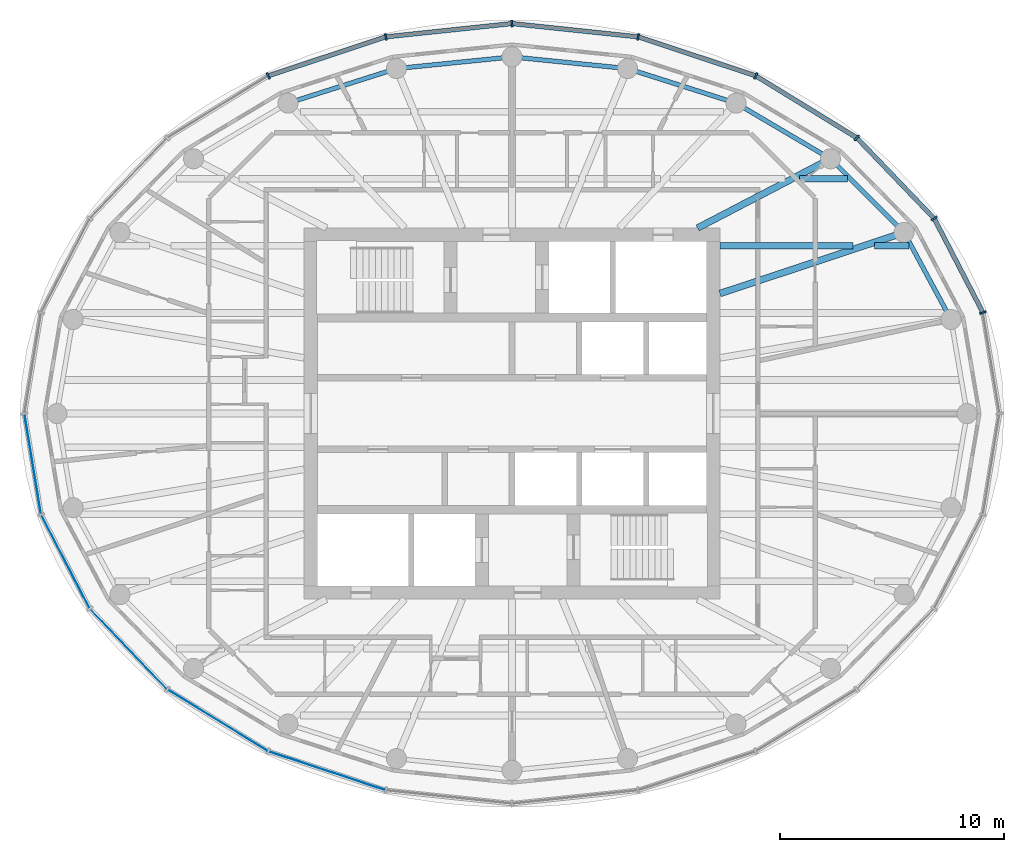
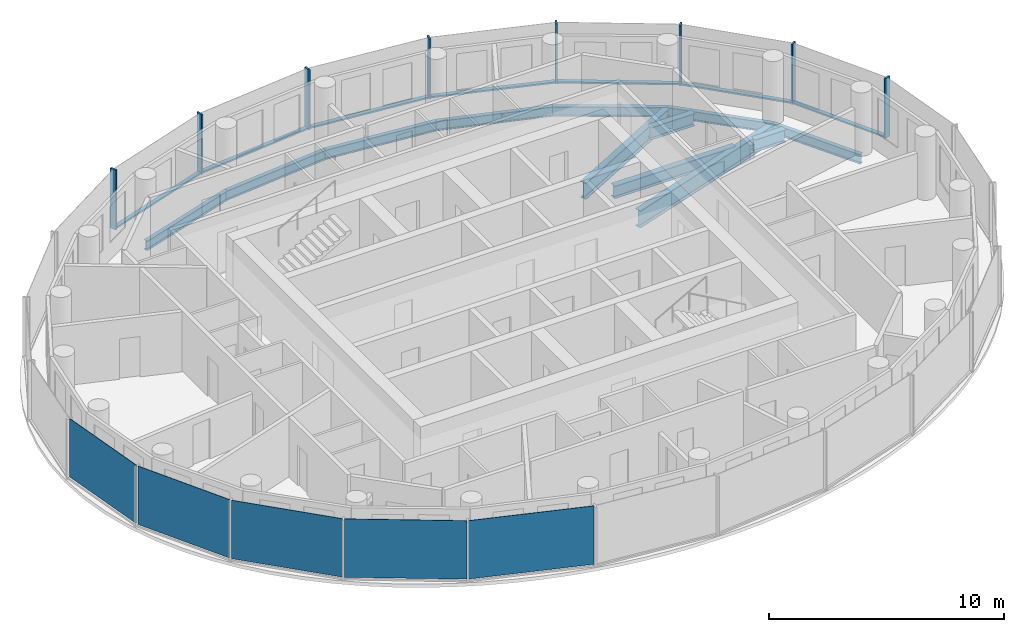
# One storey, part 3 of 11: 15 members, 12 beams, 5 plates, 3 elements without a shape of their own.
"""IFC4 building model written with IfcOpenShell, lengths in metres."""

from ifc_helpers import new_model, si_unit, direction, frame, origin, origin_2d, place, context, subcontext, project, spatial, rectangle, i_section, extrude, material, layer, layer_set, material_profile, profile_set, type_object, element, aggregate, save


model = new_model("IFC4")

# Units and contexts
model_context = context("Model", 3, precision=1e-05, world=origin(), true_north=direction((0.0, 1.0)))
body_context = subcontext(model_context, "Body", "Model", "MODEL_VIEW")
ifc_project = project(units=[si_unit("LENGTHUNIT", "METRE"), si_unit("AREAUNIT", "SQUARE_METRE"), si_unit("VOLUMEUNIT", "CUBIC_METRE"), si_unit("PLANEANGLEUNIT", "RADIAN"), si_unit("MASSUNIT", "GRAM", prefix="KILO")], contexts=[model_context])

# Site, building, storey
site_placement = place(None, origin())
site = spatial("IfcSite", under=ifc_project, at=site_placement, CompositionType="ELEMENT")
building_placement = place(site_placement, origin())
building = spatial("IfcBuilding", under=site, at=building_placement, Name="Hankou Lantern Tower", CompositionType="ELEMENT")
storey_placement = place(building_placement, frame((0.0, 0.0, 196.199951171875)))
storey = spatial("IfcBuildingStorey", under=building, at=storey_placement, Name="L52", CompositionType="ELEMENT", Elevation=196.199951171875)

# Beams
ifc_material_1 = material(Name="Steel Q355B", Category="steel")
ifc_material_profile_1 = material_profile(ifc_material_1, i_section(OverallWidth=0.199951171875, OverallDepth=0.5, WebThickness=0.010009765625, FlangeThickness=0.01611328125, FilletRadius=0.012939453125, at=origin_2d()), Name="HN500x200x10x16")
ifc_profile_set_1 = profile_set([ifc_material_profile_1], Name="Steel Q355B")
beam_type_1 = type_object("IfcBeamType", Name="EB5 RING BEAM HN500x200x10x16", PredefinedType="SPANDREL", material=ifc_profile_set_1)
beam_1_placement = place(storey_placement, frame((19.629150390625, 4.207763671875, -0.429931640625), z_axis=(-0.474491806611, 0.880259919262, 0.0), x_axis=(-0.880259919262, -0.474491806611, 0.0)))
element("IfcBeam", 1, at=beam_1_placement, inside=storey, type_object=beam_type_1, Name="Ring beam R02-R03 L52", PredefinedType="SPANDREL", context=body_context, shape_type="SweptSolid", body=[
    extrude(i_section(OverallWidth=0.199951171875, OverallDepth=0.5, WebThickness=0.010009765625, FlangeThickness=0.01611328125, FilletRadius=0.012939453125, at=origin_2d()), origin(), (0.0, 0.0, 1.0), 4.419189453125),
])
beam_2_placement = place(storey_placement, frame((17.5322265625, 8.097900390625, -0.429931640625), z_axis=(-0.706608588034, 0.707604623583, 0.0), x_axis=(-0.707604623583, -0.706608588034, 0.0)))
element("IfcBeam", 2, at=beam_2_placement, inside=storey, type_object=beam_type_1, Name="Ring beam R03-R04 L52", PredefinedType="SPANDREL", context=body_context, shape_type="SweptSolid", body=[
    extrude(i_section(OverallWidth=0.199951171875, OverallDepth=0.5, WebThickness=0.010009765625, FlangeThickness=0.01611328125, FilletRadius=0.012939453125, at=origin_2d()), origin(), (0.0, 0.0, 1.0), 4.6572265625),
])
beam_3_placement = place(storey_placement, frame((14.241455078125, 11.393310546875, -0.429931640625), z_axis=(-0.861422897323, 0.507888365655, 0.0), x_axis=(-0.507888365655, -0.861422897323, 0.0)))
element("IfcBeam", 3, at=beam_3_placement, inside=storey, type_object=beam_type_1, Name="Ring beam R04-R05 L52", PredefinedType="SPANDREL", context=body_context, shape_type="SweptSolid", body=[
    extrude(i_section(OverallWidth=0.199951171875, OverallDepth=0.5, WebThickness=0.010009765625, FlangeThickness=0.01611328125, FilletRadius=0.012939453125, at=origin_2d()), origin(), (0.0, 0.0, 1.0), 4.901611328125),
])
beam_4_placement = place(storey_placement, frame((10.01904296875, 13.8828125, -0.429931640625), z_axis=(-0.952887359315, 0.303324381574, 0.0), x_axis=(-0.303324381574, -0.952887359315, 0.0)))
element("IfcBeam", 4, at=beam_4_placement, inside=storey, type_object=beam_type_1, Name="Ring beam R05-R06 L52", PredefinedType="SPANDREL", context=body_context, shape_type="SweptSolid", body=[
    extrude(i_section(OverallWidth=0.199951171875, OverallDepth=0.5, WebThickness=0.010009765625, FlangeThickness=0.01611328125, FilletRadius=0.012939453125, at=origin_2d()), origin(), (0.0, 0.0, 1.0), 5.091796875),
])
for number, where, z_axis, x_axis, name in (
    (5, (5.167236328125, 15.42724609375, -0.429931640625), (-0.994922507736, 0.100643944676, 0.0), (-0.100643944676, -0.994922507736, 0.0), "Ring beam R06-R07 L52"),
    (6, (0.0, 15.949951171875, -0.429931640625), (-0.994922507736, -0.100643944676, 0.0), (0.100643944676, -0.994922507736, 0.0), "Ring beam R07-R08 L52"),
):
    element("IfcBeam", number, at=place(storey_placement, frame(where, z_axis=z_axis, x_axis=x_axis)), inside=storey, type_object=beam_type_1, Name=name, PredefinedType="SPANDREL", context=body_context, shape_type="SweptSolid", body=[
        extrude(i_section(OverallWidth=0.199951171875, OverallDepth=0.5, WebThickness=0.010009765625, FlangeThickness=0.01611328125, FilletRadius=0.012939453125, at=origin_2d()), origin(), (0.0, 0.0, 1.0), 5.193603515625),
    ])
beam_5_placement = place(storey_placement, frame((-5.167236328125, 15.42724609375, -0.429931640625), z_axis=(-0.952887359315, -0.303324381574, 0.0), x_axis=(0.303324381574, -0.952887359315, 0.0)))
element("IfcBeam", 7, at=beam_5_placement, inside=storey, type_object=beam_type_1, Name="Ring beam R08-R09 L52", PredefinedType="SPANDREL", context=body_context, shape_type="SweptSolid", body=[
    extrude(i_section(OverallWidth=0.199951171875, OverallDepth=0.5, WebThickness=0.010009765625, FlangeThickness=0.01611328125, FilletRadius=0.012939453125, at=origin_2d()), origin(), (0.0, 0.0, 1.0), 5.091796875),
])

# Curtain wall, members
ifc_material_2 = material(Name="Glass, dark grey tinted laminated", Category="glass")
curtain_wall_type = type_object("IfcCurtainWallType", Name="CWD OUTER SKIN SUITE", PredefinedType="USERDEFINED", material=ifc_material_2)
curtain_wall_1_placement = place(storey_placement, origin())
curtain_wall_1 = element("IfcCurtainWall", 8, at=curtain_wall_1_placement, inside=storey, type_object=curtain_wall_type, Name="CWD L52 OS1", ObjectType="OUTER SKIN SUITE", PredefinedType="USERDEFINED")
ifc_material_3 = material(Name="Aluminium, black anodised", Category="aluminium")
ifc_material_profile_2 = material_profile(ifc_material_3, rectangle(XDim=0.080078125, YDim=0.300048828125, at=origin_2d()), Name="MU1 80X300")
ifc_profile_set_2 = profile_set([ifc_material_profile_2], Name="Aluminium, black anodised")
member_type_1 = type_object("IfcMemberType", Name="MU1 OUTER SKIN MULLION 80X300", PredefinedType="MULLION", material=ifc_profile_set_2)
member_1_placement = place(storey_placement, frame((21.05712890625, 4.513916015625, 0.0), z_axis=(0.0, 0.0, 1.0), x_axis=(-0.317595577365, 0.94822626479, 0.0)))
member_1 = element("IfcMember", 9, at=member_1_placement, type_object=member_type_1, Name="CWD mullion 2", PredefinedType="MULLION", context=body_context, shape_type="SweptSolid", body=[
    extrude(rectangle(XDim=0.080078125, YDim=0.300048828125, at=origin_2d()), origin(), (0.0, 0.0, 1.0), 3.1201171875),
])
member_2_placement = place(storey_placement, frame((18.87939453125, 8.719970703125, 0.0), z_axis=(0.0, 0.0, 1.0), x_axis=(-0.585205735974, 0.810884854084, 0.0)))
member_2 = element("IfcMember", 10, at=member_2_placement, type_object=member_type_1, Name="CWD mullion 3", PredefinedType="MULLION", context=body_context, shape_type="SweptSolid", body=[
    extrude(rectangle(XDim=0.080078125, YDim=0.300048828125, at=origin_2d()), origin(), (0.0, 0.0, 1.0), 3.1201171875),
])
member_3_placement = place(storey_placement, frame((15.4150390625, 12.33203125, 0.0), z_axis=(0.0, 0.0, 1.0), x_axis=(-0.780868809444, 0.624695047553, 0.0)))
member_3 = element("IfcMember", 11, at=member_3_placement, type_object=member_type_1, Name="CWD mullion 4", PredefinedType="MULLION", context=body_context, shape_type="SweptSolid", body=[
    extrude(rectangle(XDim=0.080078125, YDim=0.300048828125, at=origin_2d()), origin(), (0.0, 0.0, 1.0), 3.1201171875),
])
member_4_placement = place(storey_placement, frame((10.89990234375, 15.103515625, 0.0), z_axis=(0.0, 0.0, 1.0), x_axis=(-0.907841299004, 0.419313934686, 0.0)))
member_4 = element("IfcMember", 12, at=member_4_placement, type_object=member_type_1, Name="CWD mullion 5", PredefinedType="MULLION", context=body_context, shape_type="SweptSolid", body=[
    extrude(rectangle(XDim=0.080078125, YDim=0.300048828125, at=origin_2d()), origin(), (0.0, 0.0, 1.0), 3.1201171875),
])
member_5_placement = place(storey_placement, frame((5.642333984375, 16.845703125, 0.0), z_axis=(0.0, 0.0, 1.0), x_axis=(-0.977787659625, 0.209597931016, 0.0)))
member_5 = element("IfcMember", 13, at=member_5_placement, type_object=member_type_1, Name="CWD mullion 6", PredefinedType="MULLION", context=body_context, shape_type="SweptSolid", body=[
    extrude(rectangle(XDim=0.080078125, YDim=0.300048828125, at=origin_2d()), origin(), (0.0, 0.0, 1.0), 3.1201171875),
])

curtain_wall_2_placement = place(storey_placement, origin())
curtain_wall_2 = element("IfcCurtainWall", 14, at=curtain_wall_2_placement, inside=storey, type_object=curtain_wall_type, Name="CWD L52 OS2", ObjectType="OUTER SKIN SUITE", PredefinedType="USERDEFINED")
member_6_placement = place(storey_placement, frame((0.0, 17.43994140625, 0.0), z_axis=(0.0, 0.0, 1.0), x_axis=(-0.994499359107, -0.104742659579, 0.0)))
member_6 = element("IfcMember", 15, at=member_6_placement, type_object=member_type_1, Name="CWD mullion 1", PredefinedType="MULLION", context=body_context, shape_type="SweptSolid", body=[
    extrude(rectangle(XDim=0.080078125, YDim=0.300048828125, at=origin_2d()), origin(), (0.0, 0.0, 1.0), 3.1201171875),
])
member_7_placement = place(storey_placement, frame((-5.642333984375, 16.845703125, 0.0), z_axis=(0.0, 0.0, 1.0), x_axis=(-0.977787659625, -0.209597931016, 0.0)))
member_7 = element("IfcMember", 16, at=member_7_placement, type_object=member_type_1, Name="CWD mullion 2", PredefinedType="MULLION", context=body_context, shape_type="SweptSolid", body=[
    extrude(rectangle(XDim=0.080078125, YDim=0.300048828125, at=origin_2d()), origin(), (0.0, 0.0, 1.0), 3.1201171875),
])
member_8_placement = place(storey_placement, frame((-10.89990234375, 15.103515625, 0.0), z_axis=(0.0, 0.0, 1.0), x_axis=(-0.907841299004, -0.419313934686, 0.0)))
member_8 = element("IfcMember", 17, at=member_8_placement, type_object=member_type_1, Name="CWD mullion 3", PredefinedType="MULLION", context=body_context, shape_type="SweptSolid", body=[
    extrude(rectangle(XDim=0.080078125, YDim=0.300048828125, at=origin_2d()), origin(), (0.0, 0.0, 1.0), 3.1201171875),
])

# Beams
ifc_material_4 = material(Name="Steel Q355B", Category="steel")
ifc_material_profile_3 = material_profile(ifc_material_4, i_section(OverallWidth=0.300048828125, OverallDepth=0.85009765625, WebThickness=0.01611328125, FlangeThickness=0.027099609375, FilletRadius=0.01806640625, at=origin_2d()), Name="HN850x300x16x27")
ifc_profile_set_3 = profile_set([ifc_material_profile_3], Name="Steel Q355B")
beam_type_2 = type_object("IfcBeamType", Name="RB12 RADIAL BEAM HN850x300x16x27", PredefinedType="BEAM", material=ifc_profile_set_3)
beam_6_placement = place(storey_placement, frame((8.300048828125, 8.300048828125, -0.60498046875), z_axis=(0.886988734783, 0.461791061378, 0.0), x_axis=(-0.461791061378, 0.886988734783, 0.0)))
element("IfcBeam", 18, at=beam_6_placement, inside=storey, type_object=beam_type_2, Name="Radial beam R04 L52", PredefinedType="BEAM", context=body_context, shape_type="SweptSolid", body=[
    extrude(i_section(OverallWidth=0.300048828125, OverallDepth=0.85009765625, WebThickness=0.01611328125, FlangeThickness=0.027099609375, FilletRadius=0.01806640625, at=origin_2d()), origin(), (0.0, 0.0, 1.0), 6.698486328125),
])
ifc_material_5 = material(Name="Steel Q355B", Category="steel")
ifc_material_profile_4 = material_profile(ifc_material_5, i_section(OverallWidth=0.300048828125, OverallDepth=0.89990234375, WebThickness=0.01611328125, FlangeThickness=0.028076171875, FilletRadius=0.01806640625, at=origin_2d()), Name="HN900x300x16x28")
ifc_profile_set_4 = profile_set([ifc_material_profile_4], Name="Steel Q355B")
beam_type_3 = type_object("IfcBeamType", Name="RB13 RADIAL BEAM HN900x300x16x28", PredefinedType="BEAM", material=ifc_profile_set_4)
beam_7_placement = place(storey_placement, frame((9.300048828125, 5.369384765625, -0.6298828125), z_axis=(0.949219608576, 0.314614263337, 0.0), x_axis=(-0.314614263337, 0.949219608576, 0.0)))
element("IfcBeam", 19, at=beam_7_placement, inside=storey, type_object=beam_type_3, Name="Radial beam R03 L52", PredefinedType="BEAM", context=body_context, shape_type="SweptSolid", body=[
    extrude(i_section(OverallWidth=0.300048828125, OverallDepth=0.89990234375, WebThickness=0.01611328125, FlangeThickness=0.028076171875, FilletRadius=0.01806640625, at=origin_2d()), origin(), (0.0, 0.0, 1.0), 8.672607421875),
])
ifc_material_6 = material(Name="Steel Q355B", Category="steel")
ifc_material_profile_5 = material_profile(ifc_material_6, i_section(OverallWidth=0.300048828125, OverallDepth=0.64990234375, WebThickness=0.010986328125, FlangeThickness=0.01708984375, FilletRadius=0.01806640625, at=origin_2d()), Name="HN650x300x11x17")
ifc_profile_set_5 = profile_set([ifc_material_profile_5], Name="Steel Q355B")
beam_type_4 = type_object("IfcBeamType", Name="SB8 SECONDARY BEAM HN650x300x11x17", PredefinedType="JOIST", material=ifc_profile_set_5)
beam_8_placement = place(storey_placement, frame((9.300048828125, 7.5, -0.5048828125), z_axis=(1.0, 0.0, 0.0), x_axis=(0.0, 1.0, 0.0)))
element("IfcBeam", 20, at=beam_8_placement, inside=storey, type_object=beam_type_4, Name="Floor joist J027 L52", PredefinedType="JOIST", context=body_context, shape_type="SweptSolid", body=[
    extrude(i_section(OverallWidth=0.300048828125, OverallDepth=0.64990234375, WebThickness=0.010986328125, FlangeThickness=0.01708984375, FilletRadius=0.01806640625, at=origin_2d()), origin(), (0.0, 0.0, 1.0), 5.95166015625),
])
beam_9_placement = place(storey_placement, frame((16.205322265625, 7.5, -0.5048828125), z_axis=(1.0, 0.0, 0.0), x_axis=(0.0, 1.0, 0.0)))
element("IfcBeam", 21, at=beam_9_placement, inside=storey, type_object=beam_type_4, Name="Floor joist J028 L52", PredefinedType="JOIST", context=body_context, shape_type="SweptSolid", body=[
    extrude(i_section(OverallWidth=0.300048828125, OverallDepth=0.64990234375, WebThickness=0.010986328125, FlangeThickness=0.01708984375, FilletRadius=0.01806640625, at=origin_2d()), origin(), (0.0, 0.0, 1.0), 1.53564453125),
])
beam_10_placement = place(storey_placement, frame((12.8505859375, 10.5, -0.5048828125), z_axis=(1.0, 0.0, 0.0), x_axis=(0.0, 1.0, 0.0)))
element("IfcBeam", 22, at=beam_10_placement, inside=storey, type_object=beam_type_4, Name="Floor joist J036 L52", PredefinedType="JOIST", context=body_context, shape_type="SweptSolid", body=[
    extrude(i_section(OverallWidth=0.300048828125, OverallDepth=0.64990234375, WebThickness=0.010986328125, FlangeThickness=0.01708984375, FilletRadius=0.01806640625, at=origin_2d()), origin(), (0.0, 0.0, 1.0), 2.1416015625),
])

# Member
ifc_material_7 = material(Name="Aluminium, black anodised", Category="aluminium")
ifc_material_profile_6 = material_profile(ifc_material_7, rectangle(XDim=0.199951171875, YDim=0.080078125, at=origin_2d()), Name="TR1 200X80")
ifc_profile_set_6 = profile_set([ifc_material_profile_6], Name="Aluminium, black anodised")
member_type_2 = type_object("IfcMemberType", Name="TR1 OUTER SKIN TRANSOM 200X80", PredefinedType="USERDEFINED", material=ifc_profile_set_6)
member_9_placement = place(storey_placement, frame((21.038818359375, 4.54931640625, 0.0400390625), z_axis=(-0.45979371115, 0.888025755925, 0.0), x_axis=(-0.888025755925, -0.45979371115, 0.0)))
member_9 = element("IfcMember", 23, at=member_9_placement, type_object=member_type_2, Name="CWD transom 2", ObjectType="TRANSOM", PredefinedType="USERDEFINED", context=body_context, shape_type="SweptSolid", body=[
    extrude(rectangle(XDim=0.199951171875, YDim=0.080078125, at=origin_2d()), origin(), (0.0, 0.0, 1.0), 4.65673828125),
])

member_10_placement = place(storey_placement, frame((18.8515625, 8.748779296875, 0.0400390625), z_axis=(-0.692204633274, 0.721701285626, 0.0), x_axis=(-0.721701285626, -0.692204633274, 0.0)))
member_10 = element("IfcMember", 24, at=member_10_placement, type_object=member_type_2, Name="CWD transom 3", ObjectType="TRANSOM", PredefinedType="USERDEFINED", context=body_context, shape_type="SweptSolid", body=[
    extrude(rectangle(XDim=0.199951171875, YDim=0.080078125, at=origin_2d()), origin(), (0.0, 0.0, 1.0), 4.9248046875),
])

member_11_placement = place(storey_placement, frame((15.380859375, 12.352783203125, 0.0400390625), z_axis=(-0.852234544008, 0.523159900986, 0.0), x_axis=(-0.523159900986, -0.852234544008, 0.0)))
member_11 = element("IfcMember", 25, at=member_11_placement, type_object=member_type_2, Name="CWD transom 4", ObjectType="TRANSOM", PredefinedType="USERDEFINED", context=body_context, shape_type="SweptSolid", body=[
    extrude(rectangle(XDim=0.199951171875, YDim=0.080078125, at=origin_2d()), origin(), (0.0, 0.0, 1.0), 5.2177734375),
])

member_12_placement = place(storey_placement, frame((10.862060546875, 15.115966796875, 0.0400390625), z_axis=(-0.949231947668, 0.314577032739, 0.0), x_axis=(-0.314577032739, -0.949231947668, 0.0)))
member_12 = element("IfcMember", 26, at=member_12_placement, type_object=member_type_2, Name="CWD transom 5", ObjectType="TRANSOM", PredefinedType="USERDEFINED", context=body_context, shape_type="SweptSolid", body=[
    extrude(rectangle(XDim=0.199951171875, YDim=0.080078125, at=origin_2d()), origin(), (0.0, 0.0, 1.0), 5.458984375),
])

member_13_placement = place(storey_placement, frame((5.6025390625, 16.849853515625, 0.0400390625), z_axis=(-0.994498275726, 0.104752945435, 0.0), x_axis=(-0.104752945435, -0.994498275726, 0.0)))
member_13 = element("IfcMember", 27, at=member_13_placement, type_object=member_type_2, Name="CWD transom 6", ObjectType="TRANSOM", PredefinedType="USERDEFINED", context=body_context, shape_type="SweptSolid", body=[
    extrude(rectangle(XDim=0.199951171875, YDim=0.080078125, at=origin_2d()), origin(), (0.0, 0.0, 1.0), 5.593505859375),
])

aggregate(curtain_wall_1, [member_1, member_2, member_3, member_4, member_5, member_9, member_10, member_11, member_12, member_13])

member_14_placement = place(storey_placement, frame((-0.039794921875, 17.435791015625, 0.0400390625), z_axis=(-0.994498275726, -0.104752945435, 0.0), x_axis=(0.104752945435, -0.994498275726, 0.0)))
member_14 = element("IfcMember", 28, at=member_14_placement, type_object=member_type_2, Name="CWD transom 1", ObjectType="TRANSOM", PredefinedType="USERDEFINED", context=body_context, shape_type="SweptSolid", body=[
    extrude(rectangle(XDim=0.199951171875, YDim=0.080078125, at=origin_2d()), origin(), (0.0, 0.0, 1.0), 5.593505859375),
])

member_15_placement = place(storey_placement, frame((-5.68017578125, 16.833251953125, 0.0400390625), z_axis=(-0.949231947668, -0.314577032739, 0.0), x_axis=(0.314577032739, -0.949231947668, 0.0)))
member_15 = element("IfcMember", 29, at=member_15_placement, type_object=member_type_2, Name="CWD transom 2", ObjectType="TRANSOM", PredefinedType="USERDEFINED", context=body_context, shape_type="SweptSolid", body=[
    extrude(rectangle(XDim=0.199951171875, YDim=0.080078125, at=origin_2d()), origin(), (0.0, 0.0, 1.0), 5.458984375),
])

aggregate(curtain_wall_2, [member_6, member_7, member_8, member_14, member_15])

# Curtain wall, plates
curtain_wall_3_placement = place(storey_placement, origin())
curtain_wall_3 = element("IfcCurtainWall", 30, at=curtain_wall_3_placement, inside=storey, type_object=curtain_wall_type, Name="CWD L52 OS3", ObjectType="OUTER SKIN SUITE", PredefinedType="USERDEFINED")
ifc_material_8 = material(Name="Glass, dark grey tinted laminated", Category="glass")
ifc_layer = layer(ifc_material_8, 0.02392578125)
ifc_layer_set = layer_set([ifc_layer], Name="Glass, dark grey tinted laminated")
plate_type = type_object("IfcPlateType", Name="PN1 OUTER SKIN GLASS PANEL", PredefinedType="CURTAIN_PANEL", material=ifc_layer_set)
plate_1_placement = place(storey_placement, frame((-21.4287109375, -2.2568359375, 0.080078125), z_axis=(0.0, 0.0, 1.0), x_axis=(0.162381515188, -0.986728049427, 0.0)))
plate_1 = element("IfcPlate", 31, at=plate_1_placement, type_object=plate_type, Name="CWD glass panel 1", PredefinedType="CURTAIN_PANEL", context=body_context, shape_type="SweptSolid", body=[
    extrude(rectangle(XDim=4.49462890625, YDim=0.02392578125, at=origin_2d()), origin(), (0.0, 0.0, 1.0), 3.0400390625),
])
plate_2_placement = place(storey_placement, frame((-19.96826171875, -6.616943359375, 0.080078125), z_axis=(0.0, 0.0, 1.0), x_axis=(0.459791091957, -0.888027112062, 0.0)))
plate_2 = element("IfcPlate", 32, at=plate_2_placement, type_object=plate_type, Name="CWD glass panel 2", PredefinedType="CURTAIN_PANEL", context=body_context, shape_type="SweptSolid", body=[
    extrude(rectangle(XDim=4.656494140625, YDim=0.02392578125, at=origin_2d()), origin(), (0.0, 0.0, 1.0), 3.0400390625),
])
plate_3_placement = place(storey_placement, frame((-17.147216796875, -10.52587890625, 0.080078125), z_axis=(0.0, 0.0, 1.0), x_axis=(0.692215809936, -0.721690565599, 0.0)))
plate_3 = element("IfcPlate", 33, at=plate_3_placement, type_object=plate_type, Name="CWD glass panel 3", PredefinedType="CURTAIN_PANEL", context=body_context, shape_type="SweptSolid", body=[
    extrude(rectangle(XDim=4.9248046875, YDim=0.02392578125, at=origin_2d()), origin(), (0.0, 0.0, 1.0), 3.0400390625),
])
plate_4_placement = place(storey_placement, frame((-13.157470703125, -13.7177734375, 0.080078125), z_axis=(0.0, 0.0, 1.0), x_axis=(0.852237151549, -0.523155653242, 0.0)))
plate_4 = element("IfcPlate", 34, at=plate_4_placement, type_object=plate_type, Name="CWD glass panel 4", PredefinedType="CURTAIN_PANEL", context=body_context, shape_type="SweptSolid", body=[
    extrude(rectangle(XDim=5.2177734375, YDim=0.02392578125, at=origin_2d()), origin(), (0.0, 0.0, 1.0), 3.0400390625),
])
plate_5_placement = place(storey_placement, frame((-8.271240234375, -15.974609375, 0.080078125), z_axis=(0.0, 0.0, 1.0), x_axis=(0.949240677293, -0.31455068999, 0.0)))
plate_5 = element("IfcPlate", 35, at=plate_5_placement, type_object=plate_type, Name="CWD glass panel 5", PredefinedType="CURTAIN_PANEL", context=body_context, shape_type="SweptSolid", body=[
    extrude(rectangle(XDim=5.458984375, YDim=0.02392578125, at=origin_2d()), origin(), (0.0, 0.0, 1.0), 3.0400390625),
])
aggregate(curtain_wall_3, [plate_1, plate_2, plate_3, plate_4, plate_5])

save(model, "model.ifc")
